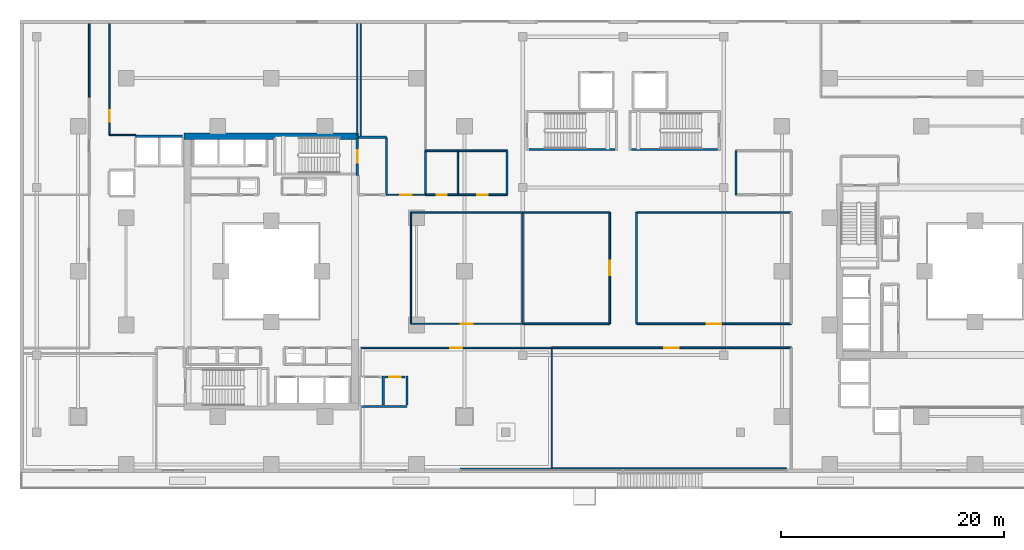
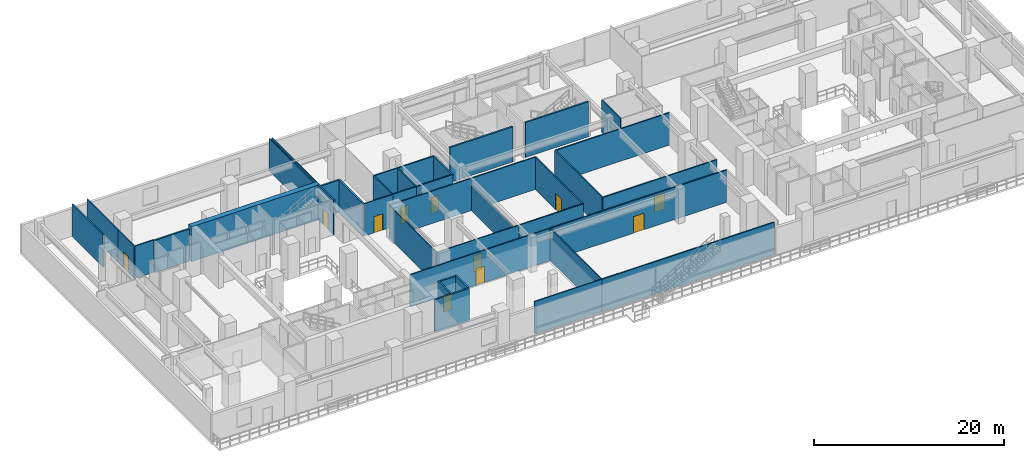
# One storey, part 14 of 24: 41 walls, 11 doors, 11 openings.
"""IFC4 building model written with IfcOpenShell, lengths in metres."""

from ifc_helpers import new_model, si_unit, direction, frame, frame_2d, origin, place, context, subcontext, project, spatial, rectangle, extrude, material, layer, layer_set, type_object, element, fill, save


model = new_model("IFC4")

# Units and contexts
model_context = context("Model", 3, precision=1e-05, world=origin(), true_north=direction((0.0, 1.0)))
body_context = subcontext(model_context, "Body", "Model", "MODEL_VIEW")
ifc_project = project(units=[si_unit("LENGTHUNIT", "METRE"), si_unit("AREAUNIT", "SQUARE_METRE"), si_unit("VOLUMEUNIT", "CUBIC_METRE"), si_unit("PLANEANGLEUNIT", "RADIAN"), si_unit("MASSUNIT", "GRAM", prefix="KILO")], contexts=[model_context])

# Site, building, storey
site_placement = place(None, origin())
site = spatial("IfcSite", under=ifc_project, at=site_placement, CompositionType="ELEMENT")
building_placement = place(site_placement, origin())
building = spatial("IfcBuilding", under=site, at=building_placement, Name="Thornwick Lancets Civic Towers", CompositionType="ELEMENT")
storey_placement = place(building_placement, frame((0.0, 0.0, 14.10009765625)))
storey = spatial("IfcBuildingStorey", under=building, at=storey_placement, Name="L03", CompositionType="ELEMENT", Elevation=14.10009765625)

# Wall, opening, door
ifc_material_1 = material(Name="Concrete blockwork C40/50", Category="masonry")
ifc_layer_1 = layer(ifc_material_1, 0.199951171875, Name="Concrete blockwork C40/50")
ifc_layer_set_1 = layer_set([ifc_layer_1], Name="Concrete blockwork C40/50")
wall_type_1 = type_object("IfcWallType", Name="WALL_COMP_200", PredefinedType="STANDARD", material=ifc_layer_set_1)
wall_1_placement = place(storey_placement, frame((35.679931640625, 17.550048828125, 0.0), z_axis=(0.0, 0.0, 1.0), x_axis=(1.0, 0.0, 0.0)))
wall_1 = element("IfcWall", 1, at=wall_1_placement, inside=storey, type_object=wall_type_1, Name="L03 Hoistway Front Wall PL-AL3", PredefinedType="STANDARD", context=body_context, shape_type="SweptSolid", body=[
    extrude(rectangle(XDim=1.7900390625, YDim=0.199951171875, at=frame_2d((0.89501953125, 0.0))), origin(), (0.0, 0.0, 1.0), 4.159912109375),
])
opening_1_placement = place(wall_1_placement, frame((0.385009765625, 0.0, 0.0)))
opening_1 = element("IfcOpeningElement", 2, at=opening_1_placement, cuts=wall_1, Name="Opening LD-PL-AL3", PredefinedType="OPENING", context=body_context, shape_type="SweptSolid", body=[
    extrude(rectangle(XDim=1.02001953125, YDim=2.06005859375, at=frame_2d((0.510009765625, 1.030029296875))), frame((0.0, 0.10986328125, 0.0), z_axis=(0.0, -1.0, 0.0), x_axis=(1.0, 0.0, 0.0)), (0.0, 0.0, 1.0), 0.219970703125),
])
ifc_material_2 = material(Name="Brushed bronze stainless steel", Category="steel")
door_type_1 = type_object("IfcDoorType", Name="DOOR_LIFT_SLIDE", OperationType="SLIDING_TO_LEFT", PredefinedType="DOOR", material=ifc_material_2)
door_1_placement = place(opening_1_placement, origin())
door_1 = element("IfcDoor", 3, at=door_1_placement, inside=storey, type_object=door_type_1, Name="L03 Sliding Lift Landing Door LD-PL-AL3", OperationType="SLIDING_TO_LEFT", OverallHeight=2.06005859375, OverallWidth=1.02001953125, PredefinedType="DOOR", context=body_context, shape_type="SweptSolid", body=[
    extrude(rectangle(XDim=1.02001953125, YDim=2.06005859375, at=frame_2d((0.510009765625, 1.030029296875))), frame((0.0, 0.02490234375, 0.0), z_axis=(0.0, -1.0, 0.0), x_axis=(1.0, 0.0, 0.0)), (0.0, 0.0, 1.0), 0.050048828125),
])
fill(opening_1, door_1)

# Walls
wall_2_placement = place(storey_placement, frame((33.451904296875, 14.89990234375, 0.0), z_axis=(0.0, 0.0, 1.0), x_axis=(1.0, 0.0, 0.0)))
element("IfcWall", 4, at=wall_2_placement, inside=storey, type_object=wall_type_1, Name="L03 Hoistway Shaft Wall PL-AL2 S", PredefinedType="STANDARD", context=body_context, shape_type="SweptSolid", body=[
    extrude(rectangle(XDim=4.196044921875, YDim=0.199951171875, at=frame_2d((2.09814453125, 0.0))), origin(), (0.0, 0.0, 1.0), 4.159912109375),
])
for number, where, z_axis, x_axis, name in (
    (5, (35.52490234375, 15.011962890625, 0.0), (0.0, 0.0, 1.0), (0.0, 1.0, 0.0), "L03 Hoistway Shaft Wall PL-AL2 E"),
    (6, (37.64990234375, 15.011962890625, 0.0), (0.0, 0.0, 1.0), (0.0, 1.0, 0.0), "L03 Hoistway Shaft Wall PL-AL3 E"),
):
    element("IfcWall", number, at=place(storey_placement, frame(where, z_axis=z_axis, x_axis=x_axis)), inside=storey, type_object=wall_type_1, Name=name, PredefinedType="STANDARD", context=body_context, shape_type="SweptSolid", body=[
        extrude(rectangle(XDim=2.635986328125, YDim=0.199951171875, at=frame_2d((1.31787109375, 0.0))), origin(), (0.0, 0.0, 1.0), 4.159912109375),
    ])
wall_3_placement = place(storey_placement, frame((13.35205078125, 39.10009765625, 0.0), z_axis=(0.0, 0.0, 1.0), x_axis=(1.0, 0.0, 0.0)))
element("IfcWall", 7, at=wall_3_placement, inside=storey, type_object=wall_type_1, Name="L03 Hoistway Shaft Wall PL-AM1 N", PredefinedType="STANDARD", context=body_context, shape_type="SweptSolid", body=[
    extrude(rectangle(XDim=4.196044921875, YDim=0.199951171875, at=frame_2d((2.09814453125, 0.0))), origin(), (0.0, 0.0, 1.0), 4.159912109375),
])
wall_4_placement = place(storey_placement, frame((35.800048828125, 33.85009765625, 0.0), z_axis=(0.0, 0.0, 1.0), x_axis=(0.0, 1.0, 0.0)))
element("IfcWall", 8, at=wall_4_placement, inside=storey, type_object=wall_type_1, Name="L03 Partition L03-A-FFLOB2 E2", PredefinedType="STANDARD", context=body_context, shape_type="SweptSolid", body=[
    extrude(rectangle(XDim=5.14990234375, YDim=0.199951171875, at=frame_2d((2.574951171875, 0.0))), origin(), (0.0, 0.0, 1.0), 4.159912109375),
])
wall_5_placement = place(storey_placement, frame((35.800048828125, 39.0, 0.0), z_axis=(0.0, 0.0, 1.0), x_axis=(-1.0, 0.0, 0.0)))
element("IfcWall", 9, at=wall_5_placement, inside=storey, type_object=wall_type_1, Name="L03 Partition L03-A-FFLOB2 E3", PredefinedType="STANDARD", context=body_context, shape_type="SweptSolid", body=[
    extrude(rectangle(XDim=2.5, YDim=0.199951171875, at=frame_2d((1.25, 0.0))), origin(), (0.0, 0.0, 1.0), 4.159912109375),
])
ifc_material_3 = material(Name="Concrete C60/75", Category="concrete")
ifc_layer_2 = layer(ifc_material_3, 0.60009765625, Name="Concrete C60/75")
ifc_layer_set_2 = layer_set([ifc_layer_2], Name="Concrete C60/75")
wall_type_2 = type_object("IfcWallType", Name="WALL_CORE_600", PredefinedType="SHEAR", material=ifc_layer_set_2)
wall_6_placement = place(storey_placement, frame((17.699951171875, 39.10009765625, 0.0), z_axis=(0.0, 0.0, 1.0), x_axis=(1.0, 0.0, 0.0)))
element("IfcWall", 10, at=wall_6_placement, inside=storey, type_object=wall_type_2, Name="L03 Split Core A2 Shear Wall N", PredefinedType="SHEAR", context=body_context, shape_type="SweptSolid", body=[
    extrude(rectangle(XDim=15.60009765625, YDim=0.60009765625, at=frame_2d((7.800048828125, 0.0))), origin(), (0.0, 0.0, 1.0), 4.5),
])
ifc_material_4 = material(Name="Acoustic gypsum board partition")
ifc_layer_3 = layer(ifc_material_4, 0.1201171875, Name="Acoustic gypsum board partition")
ifc_layer_set_3 = layer_set([ifc_layer_3], Name="Acoustic gypsum board partition")
wall_type_3 = type_object("IfcWallType", Name="WALL_PART_120", PredefinedType="PARTITIONING", material=ifc_layer_set_3)
wall_7_placement = place(storey_placement, frame((50.60009765625, 9.320068359375, 0.0), z_axis=(0.0, 0.0, 1.0), x_axis=(-1.0, 0.0, 0.0)))
element("IfcWall", 11, at=wall_7_placement, inside=storey, type_object=wall_type_3, Name="L03 Partition L03-RECEP E1", PredefinedType="PARTITIONING", context=body_context, shape_type="SweptSolid", body=[
    extrude(rectangle(XDim=8.2001953125, YDim=0.1201171875, at=frame_2d((4.10009765625, 0.0))), origin(), (0.0, 0.0, 1.0), 4.159912109375),
])

# Wall, opening, door
wall_8_placement = place(storey_placement, frame((33.5, 20.14990234375, 0.0), z_axis=(0.0, 0.0, 1.0), x_axis=(1.0, 0.0, 0.0)))
wall_8 = element("IfcWall", 12, at=wall_8_placement, inside=storey, type_object=wall_type_3, Name="L03 Partition L03-RECEP E3", PredefinedType="PARTITIONING", context=body_context, shape_type="SweptSolid", body=[
    extrude(rectangle(XDim=17.10009765625, YDim=0.1201171875, at=frame_2d((8.550048828125, 0.0))), origin(), (0.0, 0.0, 1.0), 4.159912109375),
])
opening_2_placement = place(wall_8_placement, frame((8.02490234375, 0.0, 0.0)))
opening_2 = element("IfcOpeningElement", 13, at=opening_2_placement, cuts=wall_8, Name="Opening D-L03-0213", PredefinedType="OPENING", context=body_context, shape_type="SweptSolid", body=[
    extrude(rectangle(XDim=1.050048828125, YDim=2.10009765625, at=frame_2d((0.52490234375, 1.050048828125))), frame((0.0, 0.070068359375, 0.0), z_axis=(0.0, -1.0, 0.0), x_axis=(1.0, 0.0, 0.0)), (0.0, 0.0, 1.0), 0.14013671875),
])
ifc_material_5 = material(Name="Glazed European oak executive doorset")
door_type_2 = type_object("IfcDoorType", Name="DOOR_OFFICE_1050", OperationType="NOTDEFINED", PredefinedType="DOOR", material=ifc_material_5)
door_2_placement = place(opening_2_placement, origin())
door_2 = element("IfcDoor", 14, at=door_2_placement, inside=storey, type_object=door_type_2, Name="L03 Terrace Reception Foyer Door", OperationType="SINGLE_SWING_RIGHT", OverallHeight=2.10009765625, OverallWidth=1.050048828125, PredefinedType="DOOR", context=body_context, shape_type="SweptSolid", body=[
    extrude(rectangle(XDim=1.050048828125, YDim=2.10009765625, at=frame_2d((0.52490234375, 1.050048828125))), frame((0.0, 0.02490234375, 0.0), z_axis=(0.0, -1.0, 0.0), x_axis=(1.0, 0.0, 0.0)), (0.0, 0.0, 1.0), 0.050048828125),
])
fill(opening_2, door_2)

# Wall
wall_9_placement = place(storey_placement, frame((50.60009765625, 20.14990234375, 0.0), z_axis=(0.0, 0.0, 1.0), x_axis=(0.0, -1.0, 0.0)))
element("IfcWall", 15, at=wall_9_placement, inside=storey, type_object=wall_type_3, Name="L03 Partition L03-RECEP E4", PredefinedType="PARTITIONING", context=body_context, shape_type="SweptSolid", body=[
    extrude(rectangle(XDim=10.829833984375, YDim=0.1201171875, at=frame_2d((5.4150390625, 0.0))), origin(), (0.0, 0.0, 1.0), 4.159912109375),
])

# Wall, opening, door
wall_10_placement = place(storey_placement, frame((48.0, 22.300048828125, 0.0), z_axis=(0.0, 0.0, 1.0), x_axis=(-1.0, 0.0, 0.0)))
wall_10 = element("IfcWall", 16, at=wall_10_placement, inside=storey, type_object=wall_type_3, Name="L03 Partition L03-CSW1 E1", PredefinedType="PARTITIONING", context=body_context, shape_type="SweptSolid", body=[
    extrude(rectangle(XDim=10.0, YDim=0.1201171875, at=frame_2d((5.0, 0.0))), origin(), (0.0, 0.0, 1.0), 4.159912109375),
])
opening_3_placement = place(wall_10_placement, frame((4.47509765625, 0.0, 0.0)))
opening_3 = element("IfcOpeningElement", 17, at=opening_3_placement, cuts=wall_10, Name="Opening D-L03-0218", PredefinedType="OPENING", context=body_context, shape_type="SweptSolid", body=[
    extrude(rectangle(XDim=1.050048828125, YDim=2.10009765625, at=frame_2d((0.52490234375, 1.050048828125))), frame((0.0, 0.070068359375, 0.0), z_axis=(0.0, -1.0, 0.0), x_axis=(1.0, 0.0, 0.0)), (0.0, 0.0, 1.0), 0.14013671875),
])
door_3_placement = place(opening_3_placement, origin())
door_3 = element("IfcDoor", 18, at=door_3_placement, inside=storey, type_object=door_type_2, Name="L03 Central Casework Office A Door", OperationType="SINGLE_SWING_LEFT", OverallHeight=2.10009765625, OverallWidth=1.050048828125, PredefinedType="DOOR", context=body_context, shape_type="SweptSolid", body=[
    extrude(rectangle(XDim=1.050048828125, YDim=2.10009765625, at=frame_2d((0.52490234375, 1.050048828125))), frame((0.0, 0.02490234375, 0.0), z_axis=(0.0, -1.0, 0.0), x_axis=(1.0, 0.0, 0.0)), (0.0, 0.0, 1.0), 0.050048828125),
])
fill(opening_3, door_3)

# Walls
wall_11_placement = place(storey_placement, frame((38.0, 22.300048828125, 0.0), z_axis=(0.0, 0.0, 1.0), x_axis=(0.0, 1.0, 0.0)))
element("IfcWall", 19, at=wall_11_placement, inside=storey, type_object=wall_type_3, Name="L03 Partition L03-CSW1 E2", PredefinedType="PARTITIONING", context=body_context, shape_type="SweptSolid", body=[
    extrude(rectangle(XDim=9.97998046875, YDim=0.1201171875, at=frame_2d((4.989990234375, 0.0))), origin(), (0.0, 0.0, 1.0), 4.159912109375),
])
wall_12_placement = place(storey_placement, frame((38.0, 32.280029296875, 0.0), z_axis=(0.0, 0.0, 1.0), x_axis=(1.0, 0.0, 0.0)))
element("IfcWall", 20, at=wall_12_placement, inside=storey, type_object=wall_type_3, Name="L03 Partition L03-CSW1 E3", PredefinedType="PARTITIONING", context=body_context, shape_type="SweptSolid", body=[
    extrude(rectangle(XDim=10.0, YDim=0.1201171875, at=frame_2d((5.0, 0.0))), origin(), (0.0, 0.0, 1.0), 4.159912109375),
])
wall_13_placement = place(storey_placement, frame((48.0, 32.280029296875, 0.0), z_axis=(0.0, 0.0, 1.0), x_axis=(0.0, -1.0, 0.0)))
element("IfcWall", 21, at=wall_13_placement, inside=storey, type_object=wall_type_3, Name="L03 Partition L03-CSW1 E4", PredefinedType="PARTITIONING", context=body_context, shape_type="SweptSolid", body=[
    extrude(rectangle(XDim=9.97998046875, YDim=0.1201171875, at=frame_2d((4.989990234375, 0.0))), origin(), (0.0, 0.0, 1.0), 3.31396484375),
])
wall_14_placement = place(storey_placement, frame((33.5, 39.0, 0.0), z_axis=(0.0, 0.0, 1.0), x_axis=(0.0, 1.0, 0.0)))
element("IfcWall", 22, at=wall_14_placement, inside=storey, type_object=wall_type_3, Name="L03 Partition L03-LIB E3", PredefinedType="PARTITIONING", context=body_context, shape_type="SweptSolid", body=[
    extrude(rectangle(XDim=10.179931640625, YDim=0.1201171875, at=frame_2d((5.08984375, 0.0))), origin(), (0.0, 0.0, 1.0), 4.159912109375),
])

# Wall, opening, door
wall_15_placement = place(storey_placement, frame((39.300048828125, 33.85009765625, 0.0), z_axis=(0.0, 0.0, 1.0), x_axis=(-1.0, 0.0, 0.0)))
wall_15 = element("IfcWall", 23, at=wall_15_placement, inside=storey, type_object=wall_type_3, Name="L03 Partition L03-LIB E7", PredefinedType="PARTITIONING", context=body_context, shape_type="SweptSolid", body=[
    extrude(rectangle(XDim=3.5, YDim=0.1201171875, at=frame_2d((1.75, 0.0))), origin(), (0.0, 0.0, 1.0), 4.159912109375),
])
opening_4_placement = place(wall_15_placement, frame((1.22509765625, 0.0, 0.0)))
opening_4 = element("IfcOpeningElement", 24, at=opening_4_placement, cuts=wall_15, Name="Opening D-L03-0221", PredefinedType="OPENING", context=body_context, shape_type="SweptSolid", body=[
    extrude(rectangle(XDim=1.050048828125, YDim=2.10009765625, at=frame_2d((0.52490234375, 1.050048828125))), frame((0.0, 0.070068359375, 0.0), z_axis=(0.0, -1.0, 0.0), x_axis=(1.0, 0.0, 0.0)), (0.0, 0.0, 1.0), 0.14013671875),
])
door_4_placement = place(opening_4_placement, origin())
door_4 = element("IfcDoor", 25, at=door_4_placement, inside=storey, type_object=door_type_2, Name="L03 Civic Reference Library and Training Door", OperationType="SINGLE_SWING_RIGHT", OverallHeight=2.10009765625, OverallWidth=1.050048828125, PredefinedType="DOOR", context=body_context, shape_type="SweptSolid", body=[
    extrude(rectangle(XDim=1.050048828125, YDim=2.10009765625, at=frame_2d((0.52490234375, 1.050048828125))), frame((0.0, 0.02490234375, 0.0), z_axis=(0.0, -1.0, 0.0), x_axis=(1.0, 0.0, 0.0)), (0.0, 0.0, 1.0), 0.050048828125),
])
fill(opening_4, door_4)

# Walls
wall_16_placement = place(storey_placement, frame((33.199951171875, 49.179931640625, 0.0), z_axis=(0.0, 0.0, 1.0), x_axis=(0.0, -1.0, 0.0)))
element("IfcWall", 26, at=wall_16_placement, inside=storey, type_object=wall_type_3, Name="L03 Partition L03-NWR E2", PredefinedType="PARTITIONING", context=body_context, shape_type="SweptSolid", body=[
    extrude(rectangle(XDim=9.97998046875, YDim=0.1201171875, at=frame_2d((4.989990234375, 0.0))), origin(), (0.0, 0.0, 1.0), 4.159912109375),
])
wall_17_placement = place(storey_placement, frame((13.35205078125, 39.199951171875, 0.0), z_axis=(0.0, 0.0, 1.0), x_axis=(-1.0, 0.0, 0.0)))
element("IfcWall", 27, at=wall_17_placement, inside=storey, type_object=wall_type_3, Name="L03 Partition L03-NWR E3", PredefinedType="PARTITIONING", context=body_context, shape_type="SweptSolid", body=[
    extrude(rectangle(XDim=2.35205078125, YDim=0.1201171875, at=frame_2d((1.176025390625, 0.0))), origin(), (0.0, 0.0, 1.0), 4.159912109375),
])

# Wall, opening, door
wall_18_placement = place(storey_placement, frame((11.0, 39.199951171875, 0.0), z_axis=(0.0, 0.0, 1.0), x_axis=(0.0, 1.0, 0.0)))
wall_18 = element("IfcWall", 28, at=wall_18_placement, inside=storey, type_object=wall_type_3, Name="L03 Partition L03-NWR E4", PredefinedType="PARTITIONING", context=body_context, shape_type="SweptSolid", body=[
    extrude(rectangle(XDim=3.400146484375, YDim=0.1201171875, at=frame_2d((1.7001953125, 0.0))), origin(), (0.0, 0.0, 1.0), 4.159912109375),
])
opening_5_placement = place(wall_18_placement, frame((1.175048828125, 0.0, 0.0)))
opening_5 = element("IfcOpeningElement", 29, at=opening_5_placement, cuts=wall_18, Name="Opening D-L03-0225", PredefinedType="OPENING", context=body_context, shape_type="SweptSolid", body=[
    extrude(rectangle(XDim=1.050048828125, YDim=2.10009765625, at=frame_2d((0.52490234375, 1.050048828125))), frame((0.0, 0.070068359375, 0.0), z_axis=(0.0, -1.0, 0.0), x_axis=(1.0, 0.0, 0.0)), (0.0, 0.0, 1.0), 0.14013671875),
])
door_5_placement = place(opening_5_placement, origin())
door_5 = element("IfcDoor", 30, at=door_5_placement, inside=storey, type_object=door_type_2, Name="L03 North-West Terrace Study Hall Door", OperationType="SINGLE_SWING_RIGHT", OverallHeight=2.10009765625, OverallWidth=1.050048828125, PredefinedType="DOOR", context=body_context, shape_type="SweptSolid", body=[
    extrude(rectangle(XDim=1.050048828125, YDim=2.10009765625, at=frame_2d((0.52490234375, 1.050048828125))), frame((0.0, 0.02490234375, 0.0), z_axis=(0.0, -1.0, 0.0), x_axis=(1.0, 0.0, 0.0)), (0.0, 0.0, 1.0), 0.050048828125),
])
fill(opening_5, door_5)

# Wall
wall_19_placement = place(storey_placement, frame((11.0, 42.60009765625, 0.0), z_axis=(0.0, 0.0, 1.0), x_axis=(0.0, 1.0, 0.0)))
element("IfcWall", 31, at=wall_19_placement, inside=storey, type_object=wall_type_3, Name="L03 Partition L03-NWR E5", PredefinedType="PARTITIONING", context=body_context, shape_type="SweptSolid", body=[
    extrude(rectangle(XDim=6.579833984375, YDim=0.1201171875, at=frame_2d((3.2900390625, 0.0))), origin(), (0.0, 0.0, 1.0), 4.159912109375),
])

# Wall, opening, door
ifc_material_6 = material(Name="Twin-stud acoustic gypsum board")
ifc_layer_4 = layer(ifc_material_6, 0.14990234375, Name="Twin-stud acoustic gypsum board")
ifc_layer_set_4 = layer_set([ifc_layer_4], Name="Twin-stud acoustic gypsum board")
wall_type_4 = type_object("IfcWallType", Name="WALL_PART_150", PredefinedType="PARTITIONING", material=ifc_layer_set_4)
wall_20_placement = place(storey_placement, frame((39.300048828125, 33.85009765625, 0.0), z_axis=(0.0, 0.0, 1.0), x_axis=(1.0, 0.0, 0.0)))
wall_20 = element("IfcWall", 32, at=wall_20_placement, inside=storey, type_object=wall_type_4, Name="L03 Partition L03-POD-MWC E1", PredefinedType="PARTITIONING", context=body_context, shape_type="SweptSolid", body=[
    extrude(rectangle(XDim=2.89990234375, YDim=0.14990234375, at=frame_2d((1.449951171875, 0.0))), origin(), (0.0, 0.0, 1.0), 4.159912109375),
])
opening_6_placement = place(wall_20_placement, frame((0.989990234375, 0.0, 0.0)))
opening_6 = element("IfcOpeningElement", 33, at=opening_6_placement, cuts=wall_20, Name="Opening D-L03-0209", PredefinedType="OPENING", context=body_context, shape_type="SweptSolid", body=[
    extrude(rectangle(XDim=0.919921875, YDim=2.080078125, at=frame_2d((0.4599609375, 1.0400390625))), frame((0.0, 0.0849609375, 0.0), z_axis=(0.0, -1.0, 0.0), x_axis=(1.0, 0.0, 0.0)), (0.0, 0.0, 1.0), 0.169921875),
])
ifc_material_7 = material(Name="Moisture-resistant oak doorset")
door_type_3 = type_object("IfcDoorType", Name="DOOR_WC_900", OperationType="NOTDEFINED", PredefinedType="DOOR", material=ifc_material_7)
door_6_placement = place(opening_6_placement, origin())
door_6 = element("IfcDoor", 34, at=door_6_placement, inside=storey, type_object=door_type_3, Name="L03 Podium Public Male WC Door", OperationType="SINGLE_SWING_RIGHT", OverallHeight=2.080078125, OverallWidth=0.919921875, PredefinedType="DOOR", context=body_context, shape_type="SweptSolid", body=[
    extrude(rectangle(XDim=0.919921875, YDim=2.080078125, at=frame_2d((0.4599609375, 1.0400390625))), frame((0.0, 0.02490234375, 0.0), z_axis=(0.0, -1.0, 0.0), x_axis=(1.0, 0.0, 0.0)), (0.0, 0.0, 1.0), 0.050048828125),
])
fill(opening_6, door_6)

# Walls
wall_21_placement = place(storey_placement, frame((42.199951171875, 33.85009765625, 0.0), z_axis=(0.0, 0.0, 1.0), x_axis=(0.0, 1.0, 0.0)))
element("IfcWall", 35, at=wall_21_placement, inside=storey, type_object=wall_type_4, Name="L03 Partition L03-POD-MWC E2", PredefinedType="PARTITIONING", context=body_context, shape_type="SweptSolid", body=[
    extrude(rectangle(XDim=3.949951171875, YDim=0.14990234375, at=frame_2d((1.97509765625, 0.0))), origin(), (0.0, 0.0, 1.0), 4.159912109375),
])
wall_22_placement = place(storey_placement, frame((42.199951171875, 37.800048828125, 0.0), z_axis=(0.0, 0.0, 1.0), x_axis=(-1.0, 0.0, 0.0)))
element("IfcWall", 36, at=wall_22_placement, inside=storey, type_object=wall_type_4, Name="L03 Partition L03-POD-MWC E3", PredefinedType="PARTITIONING", context=body_context, shape_type="SweptSolid", body=[
    extrude(rectangle(XDim=2.89990234375, YDim=0.14990234375, at=frame_2d((1.449951171875, 0.0))), origin(), (0.0, 0.0, 1.0), 4.159912109375),
])
for number, where, z_axis, x_axis, name in (
    (37, (39.300048828125, 37.800048828125, 0.0), (0.0, 0.0, 1.0), (0.0, -1.0, 0.0), "L03 Partition L03-POD-MWC E4"),
    (38, (67.10009765625, 37.800048828125, 0.0), (0.0, 0.0, 1.0), (0.0, -1.0, 0.0), "L03 Partition L03-POD-FWC E4"),
    (39, (46.60009765625, 37.800048828125, 0.0), (0.0, 0.0, 1.0), (0.0, -1.0, 0.0), "L03 Partition L03-POD-AWC E1"),
):
    element("IfcWall", number, at=place(storey_placement, frame(where, z_axis=z_axis, x_axis=x_axis)), inside=storey, type_object=wall_type_4, Name=name, PredefinedType="PARTITIONING", context=body_context, shape_type="SweptSolid", body=[
        extrude(rectangle(XDim=3.949951171875, YDim=0.14990234375, at=frame_2d((1.97509765625, 0.0))), origin(), (0.0, 0.0, 1.0), 4.159912109375),
    ])

# Wall, opening, door
wall_23_placement = place(storey_placement, frame((46.60009765625, 33.85009765625, 0.0), z_axis=(0.0, 0.0, 1.0), x_axis=(-1.0, 0.0, 0.0)))
wall_23 = element("IfcWall", 40, at=wall_23_placement, inside=storey, type_object=wall_type_4, Name="L03 Partition L03-POD-AWC E2", PredefinedType="PARTITIONING", context=body_context, shape_type="SweptSolid", body=[
    extrude(rectangle(XDim=4.400146484375, YDim=0.14990234375, at=frame_2d((2.2001953125, 0.0))), origin(), (0.0, 0.0, 1.0), 4.159912109375),
])
opening_7_placement = place(wall_23_placement, frame((1.739990234375, 0.0, 0.0)))
opening_7 = element("IfcOpeningElement", 41, at=opening_7_placement, cuts=wall_23, Name="Opening D-L03-0211", PredefinedType="OPENING", context=body_context, shape_type="SweptSolid", body=[
    extrude(rectangle(XDim=0.919921875, YDim=2.080078125, at=frame_2d((0.4599609375, 1.0400390625))), frame((0.0, 0.0849609375, 0.0), z_axis=(0.0, -1.0, 0.0), x_axis=(1.0, 0.0, 0.0)), (0.0, 0.0, 1.0), 0.169921875),
])
door_7_placement = place(opening_7_placement, origin())
door_7 = element("IfcDoor", 42, at=door_7_placement, inside=storey, type_object=door_type_3, Name="L03 Podium Accessible WC Door", OperationType="SINGLE_SWING_RIGHT", OverallHeight=2.080078125, OverallWidth=0.919921875, PredefinedType="DOOR", context=body_context, shape_type="SweptSolid", body=[
    extrude(rectangle(XDim=0.919921875, YDim=2.080078125, at=frame_2d((0.4599609375, 1.0400390625))), frame((0.0, 0.02490234375, 0.0), z_axis=(0.0, -1.0, 0.0), x_axis=(1.0, 0.0, 0.0)), (0.0, 0.0, 1.0), 0.050048828125),
])
fill(opening_7, door_7)

# Walls
wall_24_placement = place(storey_placement, frame((42.199951171875, 37.800048828125, 0.0), z_axis=(0.0, 0.0, 1.0), x_axis=(1.0, 0.0, 0.0)))
element("IfcWall", 43, at=wall_24_placement, inside=storey, type_object=wall_type_4, Name="L03 Partition L03-POD-AWC E4", PredefinedType="PARTITIONING", context=body_context, shape_type="SweptSolid", body=[
    extrude(rectangle(XDim=4.400146484375, YDim=0.14990234375, at=frame_2d((2.2001953125, 0.0))), origin(), (0.0, 0.0, 1.0), 4.159912109375),
])
wall_25_placement = place(storey_placement, frame((71.60009765625, 9.320068359375, 0.0), z_axis=(0.0, 0.0, 1.0), x_axis=(-1.0, 0.0, 0.0)))
element("IfcWall", 44, at=wall_25_placement, inside=storey, type_object=wall_type_4, Name="L03 Partition L03-TRIB E1", PredefinedType="PARTITIONING", context=body_context, shape_type="SweptSolid", body=[
    extrude(rectangle(XDim=21.0, YDim=0.14990234375, at=frame_2d((10.5, 0.0))), origin(), (0.0, 0.0, 1.0), 4.159912109375),
])

# Wall, opening, door
wall_26_placement = place(storey_placement, frame((50.60009765625, 20.14990234375, 0.0), z_axis=(0.0, 0.0, 1.0), x_axis=(1.0, 0.0, 0.0)))
wall_26 = element("IfcWall", 45, at=wall_26_placement, inside=storey, type_object=wall_type_4, Name="L03 Partition L03-TRIB E3", PredefinedType="PARTITIONING", context=body_context, shape_type="SweptSolid", body=[
    extrude(rectangle(XDim=21.449951171875, YDim=0.14990234375, at=frame_2d((10.72509765625, 0.0))), origin(), (0.0, 0.0, 1.0), 4.159912109375),
])
opening_8_placement = place(wall_26_placement, frame((10.074951171875, 0.0, 0.0)))
opening_8 = element("IfcOpeningElement", 46, at=opening_8_placement, cuts=wall_26, Name="Opening D-L03-0214", PredefinedType="OPENING", context=body_context, shape_type="SweptSolid", body=[
    extrude(rectangle(XDim=1.300048828125, YDim=2.1201171875, at=frame_2d((0.64990234375, 1.06005859375))), frame((0.0, 0.0849609375, 0.0), z_axis=(0.0, -1.0, 0.0), x_axis=(1.0, 0.0, 0.0)), (0.0, 0.0, 1.0), 0.169921875),
])
ifc_material_8 = material(Name="Acoustic oak leaf-and-a-half doorset")
door_type_4 = type_object("IfcDoorType", Name="DOOR_MEET_1300", OperationType="DOUBLE_DOOR_SINGLE_SWING", PredefinedType="DOOR", material=ifc_material_8)
door_8_placement = place(opening_8_placement, origin())
door_8 = element("IfcDoor", 47, at=door_8_placement, inside=storey, type_object=door_type_4, Name="L03 Administrative Tribunal Hearing Hall Door", OperationType="DOUBLE_DOOR_SINGLE_SWING", OverallHeight=2.1201171875, OverallWidth=1.300048828125, PredefinedType="DOOR", context=body_context, shape_type="SweptSolid", body=[
    extrude(rectangle(XDim=1.300048828125, YDim=2.1201171875, at=frame_2d((0.64990234375, 1.06005859375))), frame((0.0, 0.02490234375, 0.0), z_axis=(0.0, -1.0, 0.0), x_axis=(1.0, 0.0, 0.0)), (0.0, 0.0, 1.0), 0.050048828125),
])
fill(opening_8, door_8)

wall_27_placement = place(storey_placement, frame((72.050048828125, 22.300048828125, 0.0), z_axis=(0.0, 0.0, 1.0), x_axis=(-1.0, 0.0, 0.0)))
wall_27 = element("IfcWall", 48, at=wall_27_placement, inside=storey, type_object=wall_type_4, Name="L03 Partition L03-CSE E1", PredefinedType="PARTITIONING", context=body_context, shape_type="SweptSolid", body=[
    extrude(rectangle(XDim=13.85009765625, YDim=0.14990234375, at=frame_2d((6.925048828125, 0.0))), origin(), (0.0, 0.0, 1.0), 4.159912109375),
])
opening_9_placement = place(wall_27_placement, frame((6.27490234375, 0.0, 0.0)))
opening_9 = element("IfcOpeningElement", 49, at=opening_9_placement, cuts=wall_27, Name="Opening D-L03-0219", PredefinedType="OPENING", context=body_context, shape_type="SweptSolid", body=[
    extrude(rectangle(XDim=1.300048828125, YDim=2.1201171875, at=frame_2d((0.64990234375, 1.06005859375))), frame((0.0, 0.0849609375, 0.0), z_axis=(0.0, -1.0, 0.0), x_axis=(1.0, 0.0, 0.0)), (0.0, 0.0, 1.0), 0.169921875),
])
door_9_placement = place(opening_9_placement, origin())
door_9 = element("IfcDoor", 50, at=door_9_placement, inside=storey, type_object=door_type_4, Name="L03 Statutory Adjudication Chambers Door", OperationType="DOUBLE_DOOR_SINGLE_SWING", OverallHeight=2.1201171875, OverallWidth=1.300048828125, PredefinedType="DOOR", context=body_context, shape_type="SweptSolid", body=[
    extrude(rectangle(XDim=1.300048828125, YDim=2.1201171875, at=frame_2d((0.64990234375, 1.06005859375))), frame((0.0, 0.02490234375, 0.0), z_axis=(0.0, -1.0, 0.0), x_axis=(1.0, 0.0, 0.0)), (0.0, 0.0, 1.0), 0.050048828125),
])
fill(opening_9, door_9)

# Walls
wall_28_placement = place(storey_placement, frame((58.199951171875, 22.300048828125, 0.0), z_axis=(0.0, 0.0, 1.0), x_axis=(0.0, 1.0, 0.0)))
element("IfcWall", 51, at=wall_28_placement, inside=storey, type_object=wall_type_4, Name="L03 Partition L03-CSE E2", PredefinedType="PARTITIONING", context=body_context, shape_type="SweptSolid", body=[
    extrude(rectangle(XDim=9.97998046875, YDim=0.14990234375, at=frame_2d((4.989990234375, 0.0))), origin(), (0.0, 0.0, 1.0), 4.159912109375),
])
wall_29_placement = place(storey_placement, frame((58.199951171875, 32.280029296875, 0.0), z_axis=(0.0, 0.0, 1.0), x_axis=(1.0, 0.0, 0.0)))
element("IfcWall", 52, at=wall_29_placement, inside=storey, type_object=wall_type_4, Name="L03 Partition L03-CSE E3", PredefinedType="PARTITIONING", context=body_context, shape_type="SweptSolid", body=[
    extrude(rectangle(XDim=13.85009765625, YDim=0.14990234375, at=frame_2d((6.925048828125, 0.0))), origin(), (0.0, 0.0, 1.0), 4.159912109375),
])
wall_30_placement = place(storey_placement, frame((9.199951171875, 49.179931640625, 0.0), z_axis=(0.0, 0.0, 1.0), x_axis=(0.0, -1.0, 0.0)))
element("IfcWall", 53, at=wall_30_placement, inside=storey, type_object=wall_type_4, Name="L03 Partition L03-REC E3", PredefinedType="PARTITIONING", context=body_context, shape_type="SweptSolid", body=[
    extrude(rectangle(XDim=6.579833984375, YDim=0.14990234375, at=frame_2d((3.2900390625, 0.0))), origin(), (0.0, 0.0, 1.0), 4.159912109375),
])
for number, where, z_axis, x_axis, name in (
    (54, (55.800048828125, 22.300048828125, 0.0), (0.0, 0.0, 1.0), (-1.0, 0.0, 0.0), "L03 Partition L03-CSW2 E1"),
    (55, (48.0, 32.280029296875, 0.0), (0.0, 0.0, 1.0), (1.0, 0.0, 0.0), "L03 Partition L03-CSW2 E3"),
):
    element("IfcWall", number, at=place(storey_placement, frame(where, z_axis=z_axis, x_axis=x_axis)), inside=storey, type_object=wall_type_4, Name=name, PredefinedType="PARTITIONING", context=body_context, shape_type="SweptSolid", body=[
        extrude(rectangle(XDim=7.800048828125, YDim=0.14990234375, at=frame_2d((3.89990234375, 0.0))), origin(), (0.0, 0.0, 1.0), 4.159912109375),
    ])

# Wall, opening, door
wall_31_placement = place(storey_placement, frame((55.800048828125, 32.280029296875, 0.0), z_axis=(0.0, 0.0, 1.0), x_axis=(0.0, -1.0, 0.0)))
wall_31 = element("IfcWall", 56, at=wall_31_placement, inside=storey, type_object=wall_type_4, Name="L03 Partition L03-CSW2 E4", PredefinedType="PARTITIONING", context=body_context, shape_type="SweptSolid", body=[
    extrude(rectangle(XDim=9.97998046875, YDim=0.14990234375, at=frame_2d((4.989990234375, 0.0))), origin(), (0.0, 0.0, 1.0), 4.159912109375),
])
opening_10_placement = place(wall_31_placement, frame((4.340087890625, 0.0, 0.0)))
opening_10 = element("IfcOpeningElement", 57, at=opening_10_placement, cuts=wall_31, Name="Opening D-L03-0226", PredefinedType="OPENING", context=body_context, shape_type="SweptSolid", body=[
    extrude(rectangle(XDim=1.300048828125, YDim=2.1201171875, at=frame_2d((0.64990234375, 1.06005859375))), frame((0.0, 0.0849609375, 0.0), z_axis=(0.0, -1.0, 0.0), x_axis=(1.0, 0.0, 0.0)), (0.0, 0.0, 1.0), 0.169921875),
])
door_10_placement = place(opening_10_placement, origin())
door_10 = element("IfcDoor", 58, at=door_10_placement, inside=storey, type_object=door_type_4, Name="L03 Central Briefing Room B Door", OperationType="DOUBLE_DOOR_SINGLE_SWING", OverallHeight=2.1201171875, OverallWidth=1.300048828125, PredefinedType="DOOR", context=body_context, shape_type="SweptSolid", body=[
    extrude(rectangle(XDim=1.300048828125, YDim=2.1201171875, at=frame_2d((0.64990234375, 1.06005859375))), frame((0.0, 0.02490234375, 0.0), z_axis=(0.0, -1.0, 0.0), x_axis=(1.0, 0.0, 0.0)), (0.0, 0.0, 1.0), 0.050048828125),
])
fill(opening_10, door_10)

ifc_material_9 = material(Name="Concrete C40/50", Category="concrete")
ifc_layer_5 = layer(ifc_material_9, 0.199951171875, Name="Concrete C40/50")
ifc_layer_set_5 = layer_set([ifc_layer_5], Name="Concrete C40/50")
wall_type_5 = type_object("IfcWallType", Name="WALL_SHAFT_200", PredefinedType="SHEAR", material=ifc_layer_set_5)
wall_32_placement = place(storey_placement, frame((33.199951171875, 38.949951171875, 0.0), z_axis=(0.0, 0.0, 1.0), x_axis=(0.0, -1.0, 0.0)))
wall_32 = element("IfcWall", 59, at=wall_32_placement, inside=storey, type_object=wall_type_5, Name="L03 ST-A2 Fire Stair Core Wall NEAR", PredefinedType="SHEAR", context=body_context, shape_type="SweptSolid", body=[
    extrude(rectangle(XDim=3.349853515625, YDim=0.199951171875, at=frame_2d((1.6748046875, 0.0))), origin(), (0.0, 0.0, 1.0), 4.5),
])
opening_11_placement = place(wall_32_placement, frame((1.125, 0.0, 0.0)))
opening_11 = element("IfcOpeningElement", 60, at=opening_11_placement, cuts=wall_32, Name="Opening D-ST-A2-L03", PredefinedType="OPENING", context=body_context, shape_type="SweptSolid", body=[
    extrude(rectangle(XDim=1.10009765625, YDim=2.10009765625, at=frame_2d((0.550048828125, 1.050048828125))), frame((0.0, 0.10986328125, 0.0), z_axis=(0.0, -1.0, 0.0), x_axis=(1.0, 0.0, 0.0)), (0.0, 0.0, 1.0), 0.219970703125),
])
ifc_material_10 = material(Name="Fire-resisting steel and hardwood", Category="steel")
door_type_5 = type_object("IfcDoorType", Name="DOOR_STAIR_FD60", OperationType="NOTDEFINED", PredefinedType="DOOR", material=ifc_material_10)
door_11_placement = place(opening_11_placement, origin())
door_11 = element("IfcDoor", 61, at=door_11_placement, inside=storey, type_object=door_type_5, Name="L03 ST-A2 Exit Stair Door", OperationType="SINGLE_SWING_LEFT", OverallHeight=2.10009765625, OverallWidth=1.10009765625, PredefinedType="DOOR", context=body_context, shape_type="SweptSolid", body=[
    extrude(rectangle(XDim=1.10009765625, YDim=2.10009765625, at=frame_2d((0.550048828125, 1.050048828125))), frame((0.0, 0.02490234375, 0.0), z_axis=(0.0, -1.0, 0.0), x_axis=(1.0, 0.0, 0.0)), (0.0, 0.0, 1.0), 0.050048828125),
])
fill(opening_11, door_11)

# Walls
for number, where, z_axis, x_axis, name in (
    (62, (48.550048828125, 37.903076171875, 0.0), (0.0, 0.0, 1.0), (1.0, 0.0, 0.0), "L03 ST-P5 Fire Stair Core Wall LEFT"),
    (63, (57.75, 37.903076171875, 0.0), (0.0, 0.0, 1.0), (1.0, 0.0, 0.0), "L03 ST-P6 Fire Stair Core Wall RIGHT"),
):
    element("IfcWall", number, at=place(storey_placement, frame(where, z_axis=z_axis, x_axis=x_axis)), inside=storey, type_object=wall_type_5, Name=name, PredefinedType="SHEAR", context=body_context, shape_type="SweptSolid", body=[
        extrude(rectangle(XDim=7.699951171875, YDim=0.199951171875, at=frame_2d((3.85009765625, 0.0))), origin(), (0.0, 0.0, 1.0), 4.5),
    ])

save(model, "model.ifc")
